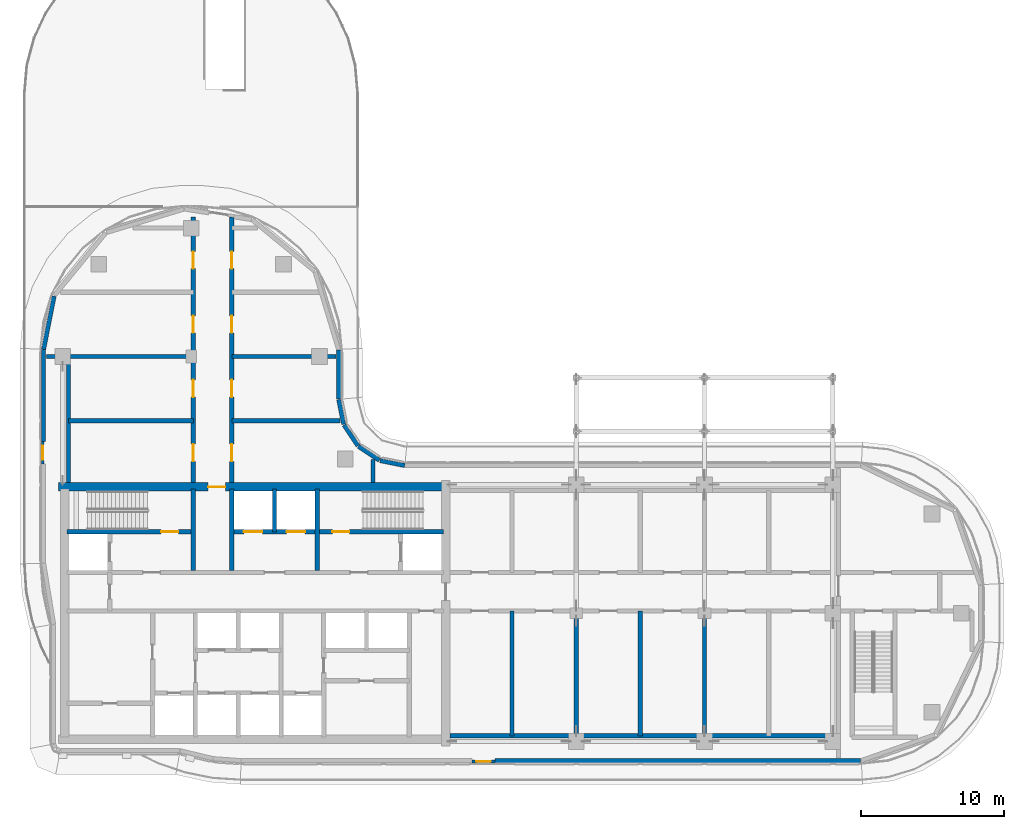
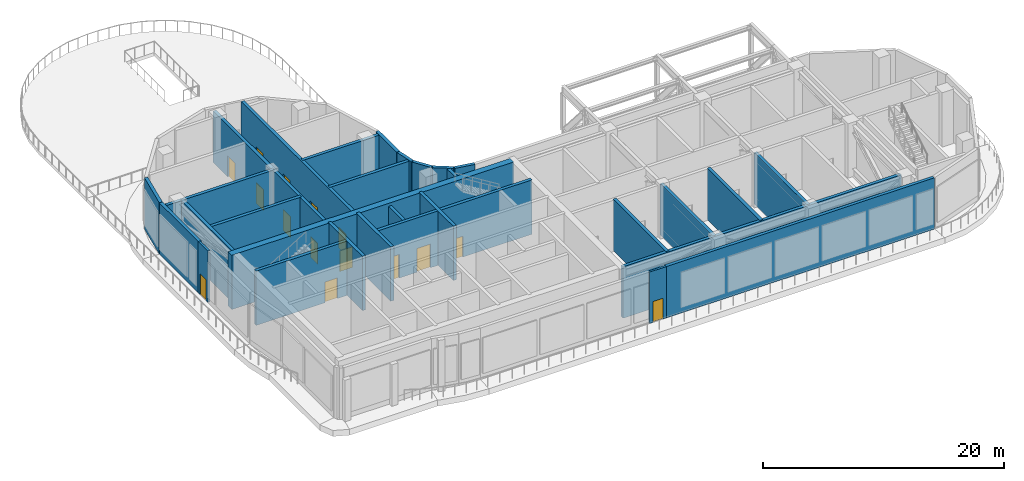
# One storey, part 5 of 18: 30 walls, 15 doors, 15 openings.
"""IFC4 building model written with IfcOpenShell, lengths in metres."""

from ifc_helpers import new_model, si_unit, direction, frame, frame_2d, origin, place, context, subcontext, project, spatial, rectangle, extrude, material, layer, layer_set, type_object, element, fill, save


model = new_model("IFC4")

# Units and contexts
model_context = context("Model", 3, precision=1e-05, world=origin(), true_north=direction((0.0, 1.0)))
body_context = subcontext(model_context, "Body", "Model", "MODEL_VIEW")
ifc_project = project(units=[si_unit("LENGTHUNIT", "METRE"), si_unit("AREAUNIT", "SQUARE_METRE"), si_unit("VOLUMEUNIT", "CUBIC_METRE"), si_unit("PLANEANGLEUNIT", "RADIAN"), si_unit("MASSUNIT", "GRAM", prefix="KILO")], contexts=[model_context])

# Site, building, storey
site_placement = place(None, origin())
site = spatial("IfcSite", under=ifc_project, at=site_placement, CompositionType="ELEMENT")
building_placement = place(site_placement, origin())
building = spatial("IfcBuilding", under=site, at=building_placement, Name="Ogive Portal Towers", CompositionType="ELEMENT")
storey_placement = place(building_placement, frame((0.0, 0.0, 190.300048828125)))
storey = spatial("IfcBuildingStorey", under=building, at=storey_placement, Name="L47", CompositionType="ELEMENT", Elevation=190.300048828125)

# Wall, opening, door
ifc_material_1 = material(Name="Limestone cladding on lightweight block wall", Category="masonry")
ifc_layer_1 = layer(ifc_material_1, 0.199951171875)
ifc_layer_set_1 = layer_set([ifc_layer_1], Name="BALCONY BAY WALL 200")
wall_type_1 = type_object("IfcWallType", Name="BALCONY BAY WALL 200", PredefinedType="SOLIDWALL", material=ifc_layer_set_1)
wall_1_placement = place(storey_placement, frame((61.800048828125, 20.10009765625, 0.0), z_axis=(0.0, 0.0, 1.0), x_axis=(-1.0, 0.0, 0.0)))
wall_1 = element("IfcWall", 1, at=wall_1_placement, inside=storey, type_object=wall_type_1, Name="A:L47:f06:bay0", PredefinedType="SOLIDWALL", context=body_context, shape_type="SweptSolid", body=[
    extrude(rectangle(XDim=1.60009765625, YDim=0.199951171875, at=frame_2d((0.800048828125, 0.0))), origin(), (0.0, 0.0, 1.0), 5.199951171875),
])
opening_1_placement = place(wall_1_placement, frame((0.300048828125, 0.0, 0.0)))
opening_1 = element("IfcOpeningElement", 2, at=opening_1_placement, cuts=wall_1, Name="Opening DX046", PredefinedType="OPENING", context=body_context, shape_type="SweptSolid", body=[
    extrude(rectangle(XDim=1.0, YDim=2.10009765625, at=frame_2d((0.5, 1.050048828125))), frame((0.0, 0.10986328125, 0.0), z_axis=(0.0, -1.0, 0.0), x_axis=(1.0, 0.0, 0.0)), (0.0, 0.0, 1.0), 0.219970703125),
])
ifc_material_2 = material(Name="Steel S355", Category="steel")
door_type_1 = type_object("IfcDoorType", Name="LEDGE EXIT DOOR 1000x2100", OperationType="SINGLE_SWING_LEFT", PredefinedType="DOOR", material=ifc_material_2)
door_1_placement = place(opening_1_placement, origin())
door_1 = element("IfcDoor", 3, at=door_1_placement, inside=storey, type_object=door_type_1, Name="A:L47:f06:bay0/o0", OperationType="SINGLE_SWING_LEFT", OverallHeight=2.10009765625, OverallWidth=1.0, PredefinedType="DOOR", context=body_context, shape_type="SweptSolid", body=[
    extrude(rectangle(XDim=1.0, YDim=2.10009765625, at=frame_2d((0.5, 1.050048828125))), frame((0.0, 0.02490234375, 0.0), z_axis=(0.0, -1.0, 0.0), x_axis=(1.0, 0.0, 0.0)), (0.0, 0.0, 1.0), 0.050048828125),
])
fill(opening_1, door_1)

wall_2_placement = place(storey_placement, frame((30.10009765625, 40.949951171875, 0.0), z_axis=(0.0, 0.0, 1.0), x_axis=(0.0, 1.0, 0.0)))
wall_2 = element("IfcWall", 4, at=wall_2_placement, inside=storey, type_object=wall_type_1, Name="A:L47:f24:bay0", PredefinedType="SOLIDWALL", context=body_context, shape_type="SweptSolid", body=[
    extrude(rectangle(XDim=1.60009765625, YDim=0.199951171875, at=frame_2d((0.800048828125, 0.0))), origin(), (0.0, 0.0, 1.0), 5.199951171875),
])
opening_2_placement = place(wall_2_placement, frame((0.300048828125, 0.0, 0.0)))
opening_2 = element("IfcOpeningElement", 5, at=opening_2_placement, cuts=wall_2, Name="Opening DX048", PredefinedType="OPENING", context=body_context, shape_type="SweptSolid", body=[
    extrude(rectangle(XDim=1.0, YDim=2.10009765625, at=frame_2d((0.5, 1.050048828125))), frame((0.0, 0.10986328125, 0.0), z_axis=(0.0, -1.0, 0.0), x_axis=(1.0, 0.0, 0.0)), (0.0, 0.0, 1.0), 0.219970703125),
])
door_2_placement = place(opening_2_placement, origin())
door_2 = element("IfcDoor", 6, at=door_2_placement, inside=storey, type_object=door_type_1, Name="A:L47:f24:bay0/o0", OperationType="SINGLE_SWING_LEFT", OverallHeight=2.10009765625, OverallWidth=1.0, PredefinedType="DOOR", context=body_context, shape_type="SweptSolid", body=[
    extrude(rectangle(XDim=1.0, YDim=2.10009765625, at=frame_2d((0.5, 1.050048828125))), frame((0.0, 0.02490234375, 0.0), z_axis=(0.0, -1.0, 0.0), x_axis=(1.0, 0.0, 0.0)), (0.0, 0.0, 1.0), 0.050048828125),
])
fill(opening_2, door_2)

ifc_material_3 = material(Name="Concrete C60/75", Category="concrete")
ifc_layer_2 = layer(ifc_material_3, 0.300048828125)
ifc_layer_set_2 = layer_set([ifc_layer_2], Name="CORE WALL 300 C60")
wall_type_2 = type_object("IfcWallType", Name="CORE WALL 300 C60", PredefinedType="SHEAR", material=ifc_layer_set_2)
wall_3_placement = place(storey_placement, frame((31.800048828125, 36.199951171875, 0.0), z_axis=(0.0, 0.0, 1.0), x_axis=(1.0, 0.0, 0.0)))
wall_3 = element("IfcWall", 7, at=wall_3_placement, inside=storey, type_object=wall_type_2, Name="Core wall Y3a L47", PredefinedType="SHEAR", context=body_context, shape_type="SweptSolid", body=[
    extrude(rectangle(XDim=8.699951171875, YDim=0.300048828125, at=frame_2d((4.35009765625, 0.0))), origin(), (0.0, 0.0, 1.0), 5.5),
])
opening_3_placement = place(wall_3_placement, frame((6.60009765625, 0.0, 0.0)))
opening_3 = element("IfcOpeningElement", 8, at=opening_3_placement, cuts=wall_3, Name="Opening D21-005", PredefinedType="OPENING", context=body_context, shape_type="SweptSolid", body=[
    extrude(rectangle(XDim=1.199951171875, YDim=2.10009765625, at=frame_2d((0.60009765625, 1.050048828125))), frame((0.0, 0.16015625, 0.0), z_axis=(0.0, -1.0, 0.0), x_axis=(1.0, 0.0, 0.0)), (0.0, 0.0, 1.0), 0.320068359375),
])
ifc_material_4 = material(Name="Steel fire door", Category="steel")
door_type_2 = type_object("IfcDoorType", Name="DT-SWING-1200x2100-FD90S", OperationType="SINGLE_SWING_LEFT", PredefinedType="DOOR", material=ifc_material_4)
door_3_placement = place(opening_3_placement, origin())
door_3 = element("IfcDoor", 9, at=door_3_placement, inside=storey, type_object=door_type_2, Name="Door D21-005", OperationType="SINGLE_SWING_RIGHT", OverallHeight=2.10009765625, OverallWidth=1.199951171875, PredefinedType="DOOR", context=body_context, shape_type="SweptSolid", body=[
    extrude(rectangle(XDim=1.199951171875, YDim=2.10009765625, at=frame_2d((0.60009765625, 1.050048828125))), frame((0.0, 0.02490234375, 0.0), z_axis=(0.0, -1.0, 0.0), x_axis=(1.0, 0.0, 0.0)), (0.0, 0.0, 1.0), 0.050048828125),
])
fill(opening_3, door_3)

# Wall, openings, doors
wall_4_placement = place(storey_placement, frame((43.5, 36.199951171875, 0.0), z_axis=(0.0, 0.0, 1.0), x_axis=(1.0, 0.0, 0.0)))
wall_4 = element("IfcWall", 10, at=wall_4_placement, inside=storey, type_object=wall_type_2, Name="Core wall Y3b L47", PredefinedType="SHEAR", context=body_context, shape_type="SweptSolid", body=[
    extrude(rectangle(XDim=14.699951171875, YDim=0.300048828125, at=frame_2d((7.35009765625, 0.0))), origin(), (0.0, 0.0, 1.0), 5.5),
])
opening_4_placement = place(wall_4_placement, frame((6.89990234375, 0.0, 0.0)))
opening_4 = element("IfcOpeningElement", 11, at=opening_4_placement, cuts=wall_4, Name="Opening D21-006", PredefinedType="OPENING", context=body_context, shape_type="SweptSolid", body=[
    extrude(rectangle(XDim=1.199951171875, YDim=2.10009765625, at=frame_2d((0.60009765625, 1.050048828125))), frame((0.0, 0.16015625, 0.0), z_axis=(0.0, -1.0, 0.0), x_axis=(1.0, 0.0, 0.0)), (0.0, 0.0, 1.0), 0.320068359375),
])
opening_5_placement = place(wall_4_placement, frame((0.699951171875, 0.0, 0.0)))
opening_5 = element("IfcOpeningElement", 12, at=opening_5_placement, cuts=wall_4, Name="Opening D21-016", PredefinedType="OPENING", context=body_context, shape_type="SweptSolid", body=[
    extrude(rectangle(XDim=1.300048828125, YDim=2.39990234375, at=frame_2d((0.64990234375, 1.199951171875))), frame((0.0, 0.16015625, 0.0), z_axis=(0.0, -1.0, 0.0), x_axis=(1.0, 0.0, 0.0)), (0.0, 0.0, 1.0), 0.320068359375),
])
opening_6_placement = place(wall_4_placement, frame((3.699951171875, 0.0, 0.0)))
opening_6 = element("IfcOpeningElement", 13, at=opening_6_placement, cuts=wall_4, Name="Opening D21-017", PredefinedType="OPENING", context=body_context, shape_type="SweptSolid", body=[
    extrude(rectangle(XDim=1.300048828125, YDim=2.39990234375, at=frame_2d((0.64990234375, 1.199951171875))), frame((0.0, 0.16015625, 0.0), z_axis=(0.0, -1.0, 0.0), x_axis=(1.0, 0.0, 0.0)), (0.0, 0.0, 1.0), 0.320068359375),
])
ifc_material_5 = material(Name="Stainless steel", Category="steel")
door_type_3 = type_object("IfcDoorType", Name="DT-LD-1300x2400", OperationType="SLIDING_TO_LEFT", PredefinedType="DOOR", material=ifc_material_5)
door_4_placement = place(opening_5_placement, origin())
door_4 = element("IfcDoor", 14, at=door_4_placement, inside=storey, type_object=door_type_3, Name="Door D21-016", OperationType="SLIDING_TO_LEFT", OverallHeight=2.39990234375, OverallWidth=1.300048828125, PredefinedType="DOOR", context=body_context, shape_type="SweptSolid", body=[
    extrude(rectangle(XDim=1.300048828125, YDim=2.39990234375, at=frame_2d((0.64990234375, 1.199951171875))), frame((0.0, 0.02490234375, 0.0), z_axis=(0.0, -1.0, 0.0), x_axis=(1.0, 0.0, 0.0)), (0.0, 0.0, 1.0), 0.050048828125),
])
fill(opening_5, door_4)
door_5_placement = place(opening_6_placement, origin())
door_5 = element("IfcDoor", 15, at=door_5_placement, inside=storey, type_object=door_type_3, Name="Door D21-017", OperationType="SLIDING_TO_LEFT", OverallHeight=2.39990234375, OverallWidth=1.300048828125, PredefinedType="DOOR", context=body_context, shape_type="SweptSolid", body=[
    extrude(rectangle(XDim=1.300048828125, YDim=2.39990234375, at=frame_2d((0.64990234375, 1.199951171875))), frame((0.0, 0.02490234375, 0.0), z_axis=(0.0, -1.0, 0.0), x_axis=(1.0, 0.0, 0.0)), (0.0, 0.0, 1.0), 0.050048828125),
])
fill(opening_6, door_5)
door_6_placement = place(opening_4_placement, origin())
door_6 = element("IfcDoor", 16, at=door_6_placement, inside=storey, type_object=door_type_2, Name="Door D21-006", OperationType="SINGLE_SWING_LEFT", OverallHeight=2.10009765625, OverallWidth=1.199951171875, PredefinedType="DOOR", context=body_context, shape_type="SweptSolid", body=[
    extrude(rectangle(XDim=1.199951171875, YDim=2.10009765625, at=frame_2d((0.60009765625, 1.050048828125))), frame((0.0, 0.02490234375, 0.0), z_axis=(0.0, -1.0, 0.0), x_axis=(1.0, 0.0, 0.0)), (0.0, 0.0, 1.0), 0.050048828125),
])
fill(opening_4, door_6)

# Walls
for number, where, z_axis, x_axis, name in (
    (17, (40.64990234375, 33.5, 0.0), (0.0, 0.0, 1.0), (0.0, 1.0, 0.0), "Core wall X6 L47"),
    (18, (43.35009765625, 33.5, 0.0), (0.0, 0.0, 1.0), (0.0, 1.0, 0.0), "Core wall X7 L47"),
    (19, (49.35009765625, 33.5, 0.0), (0.0, 0.0, 1.0), (0.0, 1.0, 0.0), "Core wall X9 L47"),
):
    element("IfcWall", number, at=place(storey_placement, frame(where, z_axis=z_axis, x_axis=x_axis)), inside=storey, type_object=wall_type_2, Name=name, PredefinedType="SHEAR", context=body_context, shape_type="SweptSolid", body=[
        extrude(rectangle(XDim=5.699951171875, YDim=0.300048828125, at=frame_2d((2.85009765625, 0.0))), origin(), (0.0, 0.0, 1.0), 5.5),
    ])

# Wall, opening, door
ifc_layer_3 = layer(ifc_material_3, 0.60009765625)
ifc_layer_set_3 = layer_set([ifc_layer_3], Name="CORE WALL 600 C60")
wall_type_3 = type_object("IfcWallType", Name="CORE WALL 600 C60", PredefinedType="SHEAR", material=ifc_layer_set_3)
wall_5_placement = place(storey_placement, frame((31.199951171875, 39.35009765625, 0.0), z_axis=(0.0, 0.0, 1.0), x_axis=(1.0, 0.0, 0.0)))
wall_5 = element("IfcWall", 20, at=wall_5_placement, inside=storey, type_object=wall_type_3, Name="Core wall N L47", PredefinedType="SHEAR", context=body_context, shape_type="SweptSolid", body=[
    extrude(rectangle(XDim=27.0, YDim=0.60009765625, at=frame_2d((13.5, 0.0))), origin(), (0.0, 0.0, 1.0), 5.5),
])
opening_7_placement = place(wall_5_placement, frame((10.5, 0.0, 0.0)))
opening_7 = element("IfcOpeningElement", 21, at=opening_7_placement, cuts=wall_5, Name="Opening D21-011", PredefinedType="OPENING", context=body_context, shape_type="SweptSolid", body=[
    extrude(rectangle(XDim=1.199951171875, YDim=2.10009765625, at=frame_2d((0.60009765625, 1.050048828125))), frame((0.0, 0.31005859375, 0.0), z_axis=(0.0, -1.0, 0.0), x_axis=(1.0, 0.0, 0.0)), (0.0, 0.0, 1.0), 0.6201171875),
])
door_7_placement = place(opening_7_placement, origin())
door_7 = element("IfcDoor", 22, at=door_7_placement, inside=storey, type_object=door_type_2, Name="Door D21-011", OperationType="SINGLE_SWING_RIGHT", OverallHeight=2.10009765625, OverallWidth=1.199951171875, PredefinedType="DOOR", context=body_context, shape_type="SweptSolid", body=[
    extrude(rectangle(XDim=1.199951171875, YDim=2.10009765625, at=frame_2d((0.60009765625, 1.050048828125))), frame((0.0, 0.02490234375, 0.0), z_axis=(0.0, -1.0, 0.0), x_axis=(1.0, 0.0, 0.0)), (0.0, 0.0, 1.0), 0.050048828125),
])
fill(opening_7, door_7)

# Walls
ifc_layer_4 = layer(ifc_material_1, 0.300048828125)
ifc_layer_set_4 = layer_set([ifc_layer_4], Name="EXTERNAL WALL 300 STONE")
wall_type_4 = type_object("IfcWallType", Name="EXTERNAL WALL 300 STONE", PredefinedType="SOLIDWALL", material=ifc_layer_set_4)
wall_6_placement = place(storey_placement, frame((61.800048828125, 20.14990234375, 0.0), z_axis=(0.0, 0.0, 1.0), x_axis=(1.0, 0.0, 0.0)))
element("IfcWall", 23, at=wall_6_placement, inside=storey, type_object=wall_type_4, Name="A:L47:f06:r1:wall", PredefinedType="SOLIDWALL", context=body_context, shape_type="SweptSolid", body=[
    extrude(rectangle(XDim=25.64892578125, YDim=0.300048828125, at=frame_2d((12.824462890625, 0.0))), origin(), (0.0, 0.0, 1.0), 5.199951171875),
])
wall_7_placement = place(storey_placement, frame((55.470703125, 40.852783203125, 0.0), z_axis=(0.0, 0.0, 1.0), x_axis=(-0.980783389265, 0.19509982917, 0.0)))
element("IfcWall", 24, at=wall_7_placement, inside=storey, type_object=wall_type_4, Name="A:L47:f13:r0:wall", PredefinedType="SOLIDWALL", context=body_context, shape_type="SweptSolid", body=[
    extrude(rectangle(XDim=1.755615234375, YDim=0.300048828125, at=frame_2d((0.8779296875, 0.0))), origin(), (0.0, 0.0, 1.0), 5.199951171875),
])
for number, where, z_axis, x_axis, name in (
    (25, (53.694580078125, 41.2177734375, 0.0), (0.0, 0.0, 1.0), (-0.831450873773, 0.555598276187, 0.0), "A:L47:f14:r0:wall"),
    (26, (52.193359375, 42.234619140625, 0.0), (0.0, 0.0, 1.0), (-0.555598276187, 0.831450873773, 0.0), "A:L47:f15:r0:wall"),
):
    element("IfcWall", number, at=place(storey_placement, frame(where, z_axis=z_axis, x_axis=x_axis)), inside=storey, type_object=wall_type_4, Name=name, PredefinedType="SOLIDWALL", context=body_context, shape_type="SweptSolid", body=[
        extrude(rectangle(XDim=1.755859375, YDim=0.300048828125, at=frame_2d((0.8779296875, 0.0))), origin(), (0.0, 0.0, 1.0), 5.199951171875),
    ])
wall_8_placement = place(storey_placement, frame((51.1953125, 43.748779296875, 0.0), z_axis=(0.0, 0.0, 1.0), x_axis=(-0.19509982917, 0.980783389265, 0.0)))
element("IfcWall", 27, at=wall_8_placement, inside=storey, type_object=wall_type_4, Name="A:L47:f16:r0:wall", PredefinedType="SOLIDWALL", context=body_context, shape_type="SweptSolid", body=[
    extrude(rectangle(XDim=1.755615234375, YDim=0.300048828125, at=frame_2d((0.8779296875, 0.0))), origin(), (0.0, 0.0, 1.0), 5.199951171875),
])
wall_9_placement = place(storey_placement, frame((50.85009765625, 45.5, 0.0), z_axis=(0.0, 0.0, 1.0), x_axis=(0.0, 1.0, 0.0)))
element("IfcWall", 28, at=wall_9_placement, inside=storey, type_object=wall_type_4, Name="A:L47:f17:r0:wall", PredefinedType="SOLIDWALL", context=body_context, shape_type="SweptSolid", body=[
    extrude(rectangle(XDim=3.45556640625, YDim=0.300048828125, at=frame_2d((1.727783203125, 0.0))), origin(), (0.0, 0.0, 1.0), 5.199951171875),
])
wall_10_placement = place(storey_placement, frame((30.8935546875, 52.723876953125, 0.0), z_axis=(0.0, 0.0, 1.0), x_axis=(-0.195077379777, -0.980787854686, 0.0)))
element("IfcWall", 29, at=wall_10_placement, inside=storey, type_object=wall_type_4, Name="A:L47:f23:r0:wall", PredefinedType="SOLIDWALL", context=body_context, shape_type="SweptSolid", body=[
    extrude(rectangle(XDim=3.797119140625, YDim=0.300048828125, at=frame_2d((1.8984375, 0.0))), origin(), (0.0, 0.0, 1.0), 5.199951171875),
])
wall_11_placement = place(storey_placement, frame((30.14990234375, 48.970458984375, 0.0), z_axis=(0.0, 0.0, 1.0), x_axis=(0.0, -1.0, 0.0)))
element("IfcWall", 30, at=wall_11_placement, inside=storey, type_object=wall_type_4, Name="A:L47:f24:r0:wall", PredefinedType="SOLIDWALL", context=body_context, shape_type="SweptSolid", body=[
    extrude(rectangle(XDim=6.42041015625, YDim=0.300048828125, at=frame_2d((3.210205078125, 0.0))), origin(), (0.0, 0.0, 1.0), 5.199951171875),
])
ifc_material_6 = material(Name="Gypsum board partition on steel studs", Category="steel")
ifc_layer_5 = layer(ifc_material_6, 0.300048828125)
ifc_layer_set_5 = layer_set([ifc_layer_5], Name="WT-PART-300-EI 60")
wall_type_5 = type_object("IfcWallType", Name="WT-PART-300-EI 60", PredefinedType="PARTITIONING", material=ifc_layer_set_5)
wall_12_placement = place(storey_placement, frame((58.64990234375, 21.89990234375, 0.0), z_axis=(0.0, 0.0, 1.0), x_axis=(1.0, 0.0, 0.0)))
element("IfcWall", 31, at=wall_12_placement, inside=storey, type_object=wall_type_5, Name="Wall L47:w002", PredefinedType="PARTITIONING", context=body_context, shape_type="SweptSolid", body=[
    extrude(rectangle(XDim=26.68017578125, YDim=0.300048828125, at=frame_2d((13.340087890625, 0.0))), origin(), (0.0, 0.0, 1.0), 5.199951171875),
])
wall_13_placement = place(storey_placement, frame((31.89990234375, 44.0, 0.0), z_axis=(0.0, 0.0, 1.0), x_axis=(1.0, 0.0, 0.0)))
element("IfcWall", 32, at=wall_13_placement, inside=storey, type_object=wall_type_5, Name="Wall L47:w008", PredefinedType="PARTITIONING", context=body_context, shape_type="SweptSolid", body=[
    extrude(rectangle(XDim=8.75, YDim=0.300048828125, at=frame_2d((4.375, 0.0))), origin(), (0.0, 0.0, 1.0), 5.199951171875),
])
wall_14_placement = place(storey_placement, frame((43.35009765625, 44.0, 0.0), z_axis=(0.0, 0.0, 1.0), x_axis=(1.0, 0.0, 0.0)))
element("IfcWall", 33, at=wall_14_placement, inside=storey, type_object=wall_type_5, Name="Wall L47:w009", PredefinedType="PARTITIONING", context=body_context, shape_type="SweptSolid", body=[
    extrude(rectangle(XDim=7.591796875, YDim=0.300048828125, at=frame_2d((3.7958984375, 0.0))), origin(), (0.0, 0.0, 1.0), 5.199951171875),
])
wall_15_placement = place(storey_placement, frame((30.35009765625, 48.5, 0.0), z_axis=(0.0, 0.0, 1.0), x_axis=(1.0, 0.0, 0.0)))
element("IfcWall", 34, at=wall_15_placement, inside=storey, type_object=wall_type_5, Name="Wall L47:w010", PredefinedType="PARTITIONING", context=body_context, shape_type="SweptSolid", body=[
    extrude(rectangle(XDim=10.2998046875, YDim=0.300048828125, at=frame_2d((5.14990234375, 0.0))), origin(), (0.0, 0.0, 1.0), 5.199951171875),
])
wall_16_placement = place(storey_placement, frame((43.35009765625, 48.5, 0.0), z_axis=(0.0, 0.0, 1.0), x_axis=(1.0, 0.0, 0.0)))
element("IfcWall", 35, at=wall_16_placement, inside=storey, type_object=wall_type_5, Name="Wall L47:w011", PredefinedType="PARTITIONING", context=body_context, shape_type="SweptSolid", body=[
    extrude(rectangle(XDim=7.2998046875, YDim=0.300048828125, at=frame_2d((3.64990234375, 0.0))), origin(), (0.0, 0.0, 1.0), 5.199951171875),
])
wall_17_placement = place(storey_placement, frame((31.89990234375, 39.64990234375, 0.0), z_axis=(0.0, 0.0, 1.0), x_axis=(0.0, 1.0, 0.0)))
element("IfcWall", 36, at=wall_17_placement, inside=storey, type_object=wall_type_5, Name="Wall L47:w016", PredefinedType="PARTITIONING", context=body_context, shape_type="SweptSolid", body=[
    extrude(rectangle(XDim=8.85009765625, YDim=0.300048828125, at=frame_2d((4.425048828125, 0.0))), origin(), (0.0, 0.0, 1.0), 5.199951171875),
])

# Wall, openings, doors
wall_18_placement = place(storey_placement, frame((40.64990234375, 39.64990234375, 0.0), z_axis=(0.0, 0.0, 1.0), x_axis=(0.0, 1.0, 0.0)))
wall_18 = element("IfcWall", 37, at=wall_18_placement, inside=storey, type_object=wall_type_5, Name="Wall L47:w017", PredefinedType="PARTITIONING", context=body_context, shape_type="SweptSolid", body=[
    extrude(rectangle(XDim=18.630126953125, YDim=0.300048828125, at=frame_2d((9.31494140625, 0.0))), origin(), (0.0, 0.0, 1.0), 5.199951171875),
])
opening_8_placement = place(wall_18_placement, frame((1.5, 0.0, 0.0)))
opening_8 = element("IfcOpeningElement", 38, at=opening_8_placement, cuts=wall_18, Name="Opening D21-039", PredefinedType="OPENING", context=body_context, shape_type="SweptSolid", body=[
    extrude(rectangle(XDim=1.199951171875, YDim=2.10009765625, at=frame_2d((0.60009765625, 1.050048828125))), frame((0.0, 0.16015625, 0.0), z_axis=(0.0, -1.0, 0.0), x_axis=(1.0, 0.0, 0.0)), (0.0, 0.0, 1.0), 0.320068359375),
])
opening_9_placement = place(wall_18_placement, frame((6.0, 0.0, 0.0)))
opening_9 = element("IfcOpeningElement", 39, at=opening_9_placement, cuts=wall_18, Name="Opening D21-040", PredefinedType="OPENING", context=body_context, shape_type="SweptSolid", body=[
    extrude(rectangle(XDim=1.199951171875, YDim=2.10009765625, at=frame_2d((0.60009765625, 1.050048828125))), frame((0.0, 0.16015625, 0.0), z_axis=(0.0, -1.0, 0.0), x_axis=(1.0, 0.0, 0.0)), (0.0, 0.0, 1.0), 0.320068359375),
])
opening_10_placement = place(wall_18_placement, frame((10.5, 0.0, 0.0)))
opening_10 = element("IfcOpeningElement", 40, at=opening_10_placement, cuts=wall_18, Name="Opening D21-043", PredefinedType="OPENING", context=body_context, shape_type="SweptSolid", body=[
    extrude(rectangle(XDim=1.199951171875, YDim=2.10009765625, at=frame_2d((0.60009765625, 1.050048828125))), frame((0.0, 0.16015625, 0.0), z_axis=(0.0, -1.0, 0.0), x_axis=(1.0, 0.0, 0.0)), (0.0, 0.0, 1.0), 0.320068359375),
])
opening_11_placement = place(wall_18_placement, frame((15.0, 0.0, 0.0)))
opening_11 = element("IfcOpeningElement", 41, at=opening_11_placement, cuts=wall_18, Name="Opening D21-044", PredefinedType="OPENING", context=body_context, shape_type="SweptSolid", body=[
    extrude(rectangle(XDim=1.199951171875, YDim=2.10009765625, at=frame_2d((0.60009765625, 1.050048828125))), frame((0.0, 0.16015625, 0.0), z_axis=(0.0, -1.0, 0.0), x_axis=(1.0, 0.0, 0.0)), (0.0, 0.0, 1.0), 0.320068359375),
])
door_type_4 = type_object("IfcDoorType", Name="DT-ENTRY-1200x2100-FD60S", OperationType="SINGLE_SWING_LEFT", PredefinedType="DOOR", material=ifc_material_4)
door_8_placement = place(opening_8_placement, origin())
door_8 = element("IfcDoor", 42, at=door_8_placement, inside=storey, type_object=door_type_4, Name="Door D21-039", OperationType="SINGLE_SWING_RIGHT", OverallHeight=2.10009765625, OverallWidth=1.199951171875, PredefinedType="DOOR", context=body_context, shape_type="SweptSolid", body=[
    extrude(rectangle(XDim=1.199951171875, YDim=2.10009765625, at=frame_2d((0.60009765625, 1.050048828125))), frame((0.0, 0.02490234375, 0.0), z_axis=(0.0, -1.0, 0.0), x_axis=(1.0, 0.0, 0.0)), (0.0, 0.0, 1.0), 0.050048828125),
])
fill(opening_8, door_8)
door_9_placement = place(opening_9_placement, origin())
door_9 = element("IfcDoor", 43, at=door_9_placement, inside=storey, type_object=door_type_4, Name="Door D21-040", OperationType="SINGLE_SWING_LEFT", OverallHeight=2.10009765625, OverallWidth=1.199951171875, PredefinedType="DOOR", context=body_context, shape_type="SweptSolid", body=[
    extrude(rectangle(XDim=1.199951171875, YDim=2.10009765625, at=frame_2d((0.60009765625, 1.050048828125))), frame((0.0, 0.02490234375, 0.0), z_axis=(0.0, -1.0, 0.0), x_axis=(1.0, 0.0, 0.0)), (0.0, 0.0, 1.0), 0.050048828125),
])
fill(opening_9, door_9)
door_10_placement = place(opening_10_placement, origin())
door_10 = element("IfcDoor", 44, at=door_10_placement, inside=storey, type_object=door_type_4, Name="Door D21-043", OperationType="SINGLE_SWING_LEFT", OverallHeight=2.10009765625, OverallWidth=1.199951171875, PredefinedType="DOOR", context=body_context, shape_type="SweptSolid", body=[
    extrude(rectangle(XDim=1.199951171875, YDim=2.10009765625, at=frame_2d((0.60009765625, 1.050048828125))), frame((0.0, 0.02490234375, 0.0), z_axis=(0.0, -1.0, 0.0), x_axis=(1.0, 0.0, 0.0)), (0.0, 0.0, 1.0), 0.050048828125),
])
fill(opening_10, door_10)
door_11_placement = place(opening_11_placement, origin())
door_11 = element("IfcDoor", 45, at=door_11_placement, inside=storey, type_object=door_type_4, Name="Door D21-044", OperationType="SINGLE_SWING_LEFT", OverallHeight=2.10009765625, OverallWidth=1.199951171875, PredefinedType="DOOR", context=body_context, shape_type="SweptSolid", body=[
    extrude(rectangle(XDim=1.199951171875, YDim=2.10009765625, at=frame_2d((0.60009765625, 1.050048828125))), frame((0.0, 0.02490234375, 0.0), z_axis=(0.0, -1.0, 0.0), x_axis=(1.0, 0.0, 0.0)), (0.0, 0.0, 1.0), 0.050048828125),
])
fill(opening_11, door_11)

wall_19_placement = place(storey_placement, frame((43.35009765625, 39.64990234375, 0.0), z_axis=(0.0, 0.0, 1.0), x_axis=(0.0, 1.0, 0.0)))
wall_19 = element("IfcWall", 46, at=wall_19_placement, inside=storey, type_object=wall_type_5, Name="Wall L47:w018", PredefinedType="PARTITIONING", context=body_context, shape_type="SweptSolid", body=[
    extrude(rectangle(XDim=18.630126953125, YDim=0.300048828125, at=frame_2d((9.31494140625, 0.0))), origin(), (0.0, 0.0, 1.0), 5.199951171875),
])
opening_12_placement = place(wall_19_placement, frame((1.5, 0.0, 0.0)))
opening_12 = element("IfcOpeningElement", 47, at=opening_12_placement, cuts=wall_19, Name="Opening D21-037", PredefinedType="OPENING", context=body_context, shape_type="SweptSolid", body=[
    extrude(rectangle(XDim=1.199951171875, YDim=2.10009765625, at=frame_2d((0.60009765625, 1.050048828125))), frame((0.0, 0.16015625, 0.0), z_axis=(0.0, -1.0, 0.0), x_axis=(1.0, 0.0, 0.0)), (0.0, 0.0, 1.0), 0.320068359375),
])
opening_13_placement = place(wall_19_placement, frame((6.0, 0.0, 0.0)))
opening_13 = element("IfcOpeningElement", 48, at=opening_13_placement, cuts=wall_19, Name="Opening D21-038", PredefinedType="OPENING", context=body_context, shape_type="SweptSolid", body=[
    extrude(rectangle(XDim=1.199951171875, YDim=2.10009765625, at=frame_2d((0.60009765625, 1.050048828125))), frame((0.0, 0.16015625, 0.0), z_axis=(0.0, -1.0, 0.0), x_axis=(1.0, 0.0, 0.0)), (0.0, 0.0, 1.0), 0.320068359375),
])
opening_14_placement = place(wall_19_placement, frame((10.5, 0.0, 0.0)))
opening_14 = element("IfcOpeningElement", 49, at=opening_14_placement, cuts=wall_19, Name="Opening D21-041", PredefinedType="OPENING", context=body_context, shape_type="SweptSolid", body=[
    extrude(rectangle(XDim=1.199951171875, YDim=2.10009765625, at=frame_2d((0.60009765625, 1.050048828125))), frame((0.0, 0.16015625, 0.0), z_axis=(0.0, -1.0, 0.0), x_axis=(1.0, 0.0, 0.0)), (0.0, 0.0, 1.0), 0.320068359375),
])
opening_15_placement = place(wall_19_placement, frame((15.0, 0.0, 0.0)))
opening_15 = element("IfcOpeningElement", 50, at=opening_15_placement, cuts=wall_19, Name="Opening D21-042", PredefinedType="OPENING", context=body_context, shape_type="SweptSolid", body=[
    extrude(rectangle(XDim=1.199951171875, YDim=2.10009765625, at=frame_2d((0.60009765625, 1.050048828125))), frame((0.0, 0.16015625, 0.0), z_axis=(0.0, -1.0, 0.0), x_axis=(1.0, 0.0, 0.0)), (0.0, 0.0, 1.0), 0.320068359375),
])
door_12_placement = place(opening_12_placement, origin())
door_12 = element("IfcDoor", 51, at=door_12_placement, inside=storey, type_object=door_type_4, Name="Door D21-037", OperationType="SINGLE_SWING_LEFT", OverallHeight=2.10009765625, OverallWidth=1.199951171875, PredefinedType="DOOR", context=body_context, shape_type="SweptSolid", body=[
    extrude(rectangle(XDim=1.199951171875, YDim=2.10009765625, at=frame_2d((0.60009765625, 1.050048828125))), frame((0.0, 0.02490234375, 0.0), z_axis=(0.0, -1.0, 0.0), x_axis=(1.0, 0.0, 0.0)), (0.0, 0.0, 1.0), 0.050048828125),
])
fill(opening_12, door_12)
door_13_placement = place(opening_13_placement, origin())
door_13 = element("IfcDoor", 52, at=door_13_placement, inside=storey, type_object=door_type_4, Name="Door D21-038", OperationType="SINGLE_SWING_LEFT", OverallHeight=2.10009765625, OverallWidth=1.199951171875, PredefinedType="DOOR", context=body_context, shape_type="SweptSolid", body=[
    extrude(rectangle(XDim=1.199951171875, YDim=2.10009765625, at=frame_2d((0.60009765625, 1.050048828125))), frame((0.0, 0.02490234375, 0.0), z_axis=(0.0, -1.0, 0.0), x_axis=(1.0, 0.0, 0.0)), (0.0, 0.0, 1.0), 0.050048828125),
])
fill(opening_13, door_13)
door_14_placement = place(opening_14_placement, origin())
door_14 = element("IfcDoor", 53, at=door_14_placement, inside=storey, type_object=door_type_4, Name="Door D21-041", OperationType="SINGLE_SWING_LEFT", OverallHeight=2.10009765625, OverallWidth=1.199951171875, PredefinedType="DOOR", context=body_context, shape_type="SweptSolid", body=[
    extrude(rectangle(XDim=1.199951171875, YDim=2.10009765625, at=frame_2d((0.60009765625, 1.050048828125))), frame((0.0, 0.02490234375, 0.0), z_axis=(0.0, -1.0, 0.0), x_axis=(1.0, 0.0, 0.0)), (0.0, 0.0, 1.0), 0.050048828125),
])
fill(opening_14, door_14)
door_15_placement = place(opening_15_placement, origin())
door_15 = element("IfcDoor", 54, at=door_15_placement, inside=storey, type_object=door_type_4, Name="Door D21-042", OperationType="SINGLE_SWING_RIGHT", OverallHeight=2.10009765625, OverallWidth=1.199951171875, PredefinedType="DOOR", context=body_context, shape_type="SweptSolid", body=[
    extrude(rectangle(XDim=1.199951171875, YDim=2.10009765625, at=frame_2d((0.60009765625, 1.050048828125))), frame((0.0, 0.02490234375, 0.0), z_axis=(0.0, -1.0, 0.0), x_axis=(1.0, 0.0, 0.0)), (0.0, 0.0, 1.0), 0.050048828125),
])
fill(opening_15, door_15)

# Walls
wall_20_placement = place(storey_placement, frame((53.25, 39.64990234375, 0.0), z_axis=(0.0, 0.0, 1.0), x_axis=(0.0, 1.0, 0.0)))
element("IfcWall", 55, at=wall_20_placement, inside=storey, type_object=wall_type_5, Name="Wall L47:w019", PredefinedType="PARTITIONING", context=body_context, shape_type="SweptSolid", body=[
    extrude(rectangle(XDim=1.6240234375, YDim=0.300048828125, at=frame_2d((0.81201171875, 0.0))), origin(), (0.0, 0.0, 1.0), 5.199951171875),
])
for number, where, z_axis, x_axis, name in (
    (56, (63.0, 21.89990234375, 0.0), (0.0, 0.0, 1.0), (0.0, 1.0, 0.0), "Wall L47:w020"),
    (57, (67.5, 21.89990234375, 0.0), (0.0, 0.0, 1.0), (0.0, 1.0, 0.0), "Wall L47:w022"),
    (58, (72.0, 21.89990234375, 0.0), (0.0, 0.0, 1.0), (0.0, 1.0, 0.0), "Wall L47:w024"),
    (59, (76.5, 21.89990234375, 0.0), (0.0, 0.0, 1.0), (0.0, 1.0, 0.0), "Wall L47:w026"),
):
    element("IfcWall", number, at=place(storey_placement, frame(where, z_axis=z_axis, x_axis=x_axis)), inside=storey, type_object=wall_type_5, Name=name, PredefinedType="PARTITIONING", context=body_context, shape_type="SweptSolid", body=[
        extrude(rectangle(XDim=8.75, YDim=0.300048828125, at=frame_2d((4.375, 0.0))), origin(), (0.0, 0.0, 1.0), 5.199951171875),
    ])
ifc_material_7 = material(Name="Concrete C40/50", Category="concrete")
ifc_layer_6 = layer(ifc_material_7, 0.300048828125)
ifc_layer_set_6 = layer_set([ifc_layer_6], Name="WT-SHAFT-300")
wall_type_6 = type_object("IfcWallType", Name="WT-SHAFT-300", PredefinedType="SOLIDWALL", material=ifc_layer_set_6)
wall_21_placement = place(storey_placement, frame((46.35009765625, 36.199951171875, 0.0), z_axis=(0.0, 0.0, 1.0), x_axis=(0.0, 1.0, 0.0)))
element("IfcWall", 60, at=wall_21_placement, inside=storey, type_object=wall_type_6, Name="Wall pw:009:L47", PredefinedType="SOLIDWALL", context=body_context, shape_type="SweptSolid", body=[
    extrude(rectangle(XDim=3.0, YDim=0.300048828125, at=frame_2d((1.5, 0.0))), origin(), (0.0, 0.0, 1.0), 5.199951171875),
])

save(model, "model.ifc")
